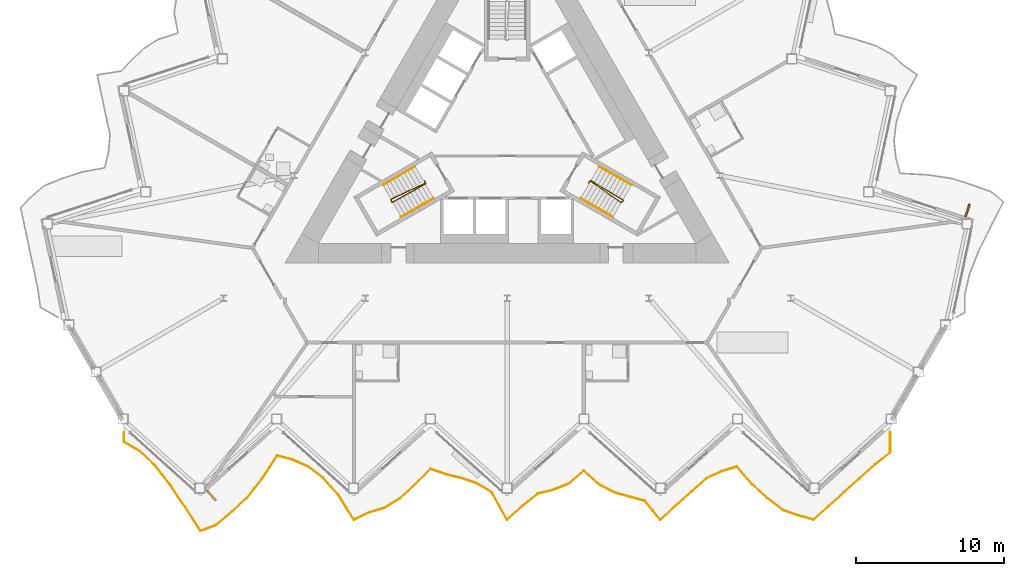
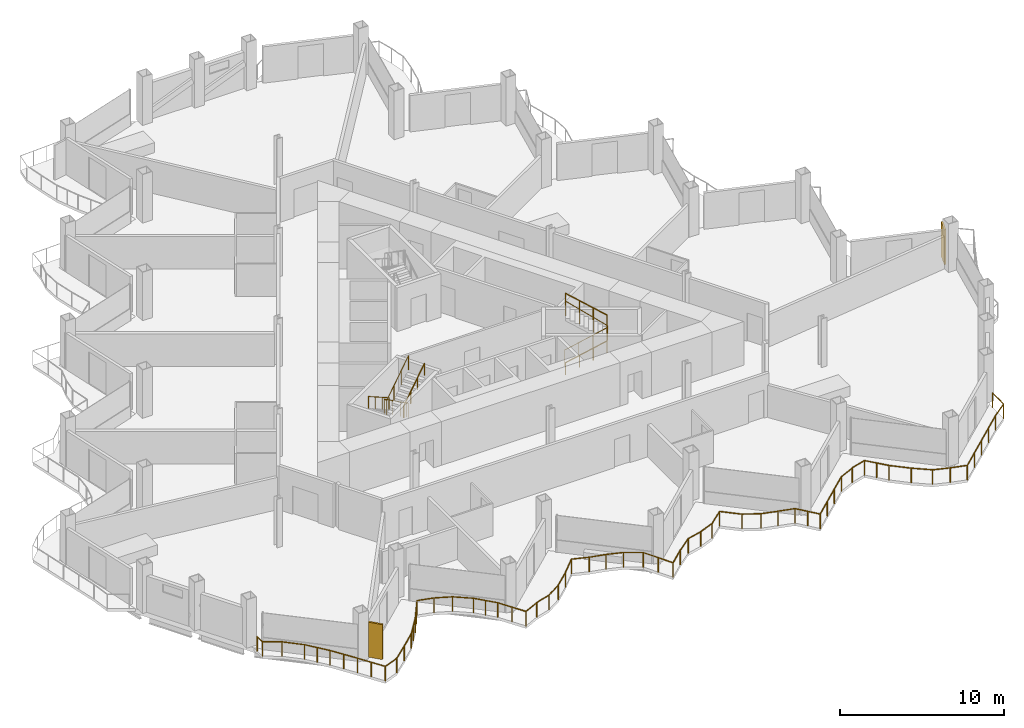
# One storey, part 19 of 23: 7 railings, 2 shading devices.
"""IFC4 building model written with IfcOpenShell, lengths in metres."""

from ifc_helpers import new_model, si_unit, direction, frame, origin, origin_2d, place, context, subcontext, project, spatial, rectangle, circle, extrude, material, layer, layer_set, type_object, element, save


model = new_model("IFC4")

# Units and contexts
model_context = context("Model", 3, precision=1e-05, world=origin(), true_north=direction((0.0, 1.0)))
body_context = subcontext(model_context, "Body", "Model", "MODEL_VIEW")
ifc_project = project(units=[si_unit("LENGTHUNIT", "METRE"), si_unit("AREAUNIT", "SQUARE_METRE"), si_unit("VOLUMEUNIT", "CUBIC_METRE"), si_unit("PLANEANGLEUNIT", "RADIAN"), si_unit("MASSUNIT", "GRAM", prefix="KILO")], contexts=[model_context])

# Site, building, storey
site_placement = place(None, origin())
site = spatial("IfcSite", under=ifc_project, at=site_placement, CompositionType="ELEMENT")
building_placement = place(site_placement, origin())
building = spatial("IfcBuilding", under=site, at=building_placement, Name="Cormorant Prow Tower", CompositionType="ELEMENT")
storey_placement = place(building_placement, frame((0.0, 0.0, 245.39990234375)))
storey = spatial("IfcBuildingStorey", under=building, at=storey_placement, Name="L54", CompositionType="ELEMENT", Elevation=245.39990234375)

# Railings
ifc_material_1 = material(Name="Aluminium 6063-T6", Category="aluminium")
railing_type_1 = type_object("IfcRailingType", Name="Balcony guard 1100", PredefinedType="GUARDRAIL", material=ifc_material_1)
railing_1_placement = place(storey_placement, frame((-25.87841796875, -20.13818359375, 0.0)))
element("IfcRailing", 1, at=railing_1_placement, inside=storey, type_object=railing_type_1, Name="Balcony guard S", PredefinedType="GUARDRAIL", context=body_context, shape_type="SweptSolid", body=[
    extrude(circle(Radius=0.02392578125, at=origin_2d()), frame((0.0, 0.0, 1.076171875), z_axis=(0.0, -1.0, 0.0), x_axis=(1.0, 0.0, 0.0)), (0.0, 0.0, 1.0), 0.63623046875),
    extrude(circle(Radius=0.02392578125, at=origin_2d()), frame((0.0, -0.63623046875, 1.076171875), z_axis=(0.864731790858, -0.502233939394, 0.0), x_axis=(0.502233939394, 0.864731790858, 0.0)), (0.0, 0.0, 1.0), 1.19677734375),
    extrude(circle(Radius=0.02392578125, at=origin_2d()), frame((1.034912109375, -1.2373046875, 1.076171875), z_axis=(0.734783516972, -0.67830169039, 0.0), x_axis=(0.67830169039, 0.734783516972, 0.0)), (0.0, 0.0, 1.0), 1.4091796875),
    extrude(circle(Radius=0.02392578125, at=origin_2d()), frame((2.0703125, -2.193115234375, 1.076171875), z_axis=(0.621882143602, -0.783110847498, 0.0), x_axis=(0.783110847498, 0.621882143602, 0.0)), (0.0, 0.0, 1.0), 1.6640625),
    extrude(circle(Radius=0.02392578125, at=origin_2d()), frame((3.105224609375, -3.496337890625, 1.076171875), z_axis=(0.557245233894, -0.830347968807, 0.0), x_axis=(0.830347968807, 0.557245233894, 0.0)), (0.0, 0.0, 1.0), 1.857666015625),
    extrude(circle(Radius=0.02392578125, at=origin_2d()), frame((4.140380859375, -5.038818359375, 1.076171875), z_axis=(0.542301653449, -0.840183858846, 0.0), x_axis=(0.840183858846, 0.542301653449, 0.0)), (0.0, 0.0, 1.0), 1.908935546875),
    extrude(circle(Radius=0.02392578125, at=origin_2d()), frame((5.175537109375, -6.642578125, 1.076171875), z_axis=(0.93413827097, 0.356911320512, 0.0), x_axis=(-0.356911320512, 0.93413827097, 0.0)), (0.0, 0.0, 1.0), 1.108154296875),
    extrude(circle(Radius=0.02392578125, at=origin_2d()), frame((6.210693359375, -6.2470703125, 1.076171875), z_axis=(0.761584658057, 0.648065435441, 0.0), x_axis=(-0.648065435441, 0.761584658057, 0.0)), (0.0, 0.0, 1.0), 1.359130859375),
    extrude(circle(Radius=0.02392578125, at=origin_2d()), frame((7.245849609375, -5.3662109375, 1.076171875), z_axis=(0.743119825219, 0.669158370916, 0.0), x_axis=(-0.669158370916, 0.743119825219, 0.0)), (0.0, 0.0, 1.0), 1.39306640625),
    extrude(circle(Radius=0.02392578125, at=origin_2d()), frame((8.281005859375, -4.43408203125, 1.076171875), z_axis=(0.622186479432, 0.782869072587, 0.0), x_axis=(-0.782869072587, 0.622186479432, 0.0)), (0.0, 0.0, 1.0), 1.663818359375),
    extrude(circle(Radius=0.02392578125, at=origin_2d()), frame((9.316162109375, -3.131591796875, 1.076171875), z_axis=(0.548772346659, 0.835971836573, 0.0), x_axis=(-0.835971836573, 0.548772346659, 0.0)), (0.0, 0.0, 1.0), 1.88623046875),
    extrude(circle(Radius=0.02392578125, at=origin_2d()), frame((10.351318359375, -1.5546875, 1.076171875), z_axis=(0.965988710951, -0.2585842422, 0.0), x_axis=(0.2585842422, 0.965988710951, 0.0)), (0.0, 0.0, 1.0), 1.071533203125),
    extrude(circle(Radius=0.02392578125, at=origin_2d()), frame((11.386474609375, -1.831787109375, 1.076171875), z_axis=(0.914486230803, -0.404617020987, 0.0), x_axis=(0.404617020987, 0.914486230803, 0.0)), (0.0, 0.0, 1.0), 1.1318359375),
    extrude(circle(Radius=0.02392578125, at=origin_2d()), frame((12.421630859375, -2.289794921875, 1.076171875), z_axis=(0.7996377542, -0.60048269089, 0.0), x_axis=(0.60048269089, 0.7996377542, 0.0)), (0.0, 0.0, 1.0), 1.29443359375),
    extrude(circle(Radius=0.02392578125, at=origin_2d()), frame((13.456787109375, -3.067138671875, 1.076171875), z_axis=(0.671568341198, -0.740942617954, 0.0), x_axis=(0.740942617954, 0.671568341198, 0.0)), (0.0, 0.0, 1.0), 1.54150390625),
    extrude(circle(Radius=0.02392578125, at=origin_2d()), frame((14.491943359375, -4.209228515625, 1.076171875), z_axis=(0.526645354626, -0.850085096005, 0.0), x_axis=(0.850085096005, 0.526645354626, 0.0)), (0.0, 0.0, 1.0), 1.965576171875),
    extrude(circle(Radius=0.02392578125, at=origin_2d()), frame((15.527099609375, -5.880126953125, 1.076171875), z_axis=(0.90332085821, 0.428965531393, 0.0), x_axis=(-0.428965531393, 0.90332085821, 0.0)), (0.0, 0.0, 1.0), 1.145751953125),
    extrude(circle(Radius=0.02392578125, at=origin_2d()), frame((16.56201171875, -5.388671875, 1.076171875), z_axis=(0.958834598019, 0.283965162724, 0.0), x_axis=(-0.283965162724, 0.958834598019, 0.0)), (0.0, 0.0, 1.0), 1.079833984375),
    extrude(circle(Radius=0.02392578125, at=origin_2d()), frame((17.597412109375, -5.08203125, 1.076171875), z_axis=(0.847582419617, 0.530663774867, 0.0), x_axis=(-0.530663774867, 0.847582419617, 0.0)), (0.0, 0.0, 1.0), 1.220947265625),
    extrude(circle(Radius=0.02392578125, at=origin_2d()), frame((18.63232421875, -4.43408203125, 1.076171875), z_axis=(0.743198288412, 0.669071224984, 0.0), x_axis=(-0.669071224984, 0.743198288412, 0.0)), (0.0, 0.0, 1.0), 1.39306640625),
    extrude(circle(Radius=0.02392578125, at=origin_2d()), frame((19.667724609375, -3.501953125, 1.076171875), z_axis=(0.701871936926, 0.712303154672, 0.0), x_axis=(-0.712303154672, 0.701871936926, 0.0)), (0.0, 0.0, 1.0), 1.474609375),
    extrude(circle(Radius=0.02392578125, at=origin_2d()), frame((20.70263671875, -2.45166015625, 1.076171875), z_axis=(0.943788930542, -0.330548717418, 0.0), x_axis=(0.330548717418, 0.943788930542, 0.0)), (0.0, 0.0, 1.0), 1.096923828125),
    extrude(circle(Radius=0.02392578125, at=origin_2d()), frame((21.73779296875, -2.814208984375, 1.076171875), z_axis=(0.97051833299, -0.241027312415, 0.0), x_axis=(0.241027312415, 0.97051833299, 0.0)), (0.0, 0.0, 1.0), 1.066650390625),
    extrude(circle(Radius=0.02392578125, at=origin_2d()), frame((22.77294921875, -3.0712890625, 1.076171875), z_axis=(0.947830404548, -0.318775037001, 0.0), x_axis=(0.318775037001, 0.947830404548, 0.0)), (0.0, 0.0, 1.0), 1.092041015625),
    extrude(circle(Radius=0.02392578125, at=origin_2d()), frame((23.80810546875, -3.41943359375, 1.076171875), z_axis=(0.861589246456, -0.50760611737, 0.0), x_axis=(0.50760611737, 0.861589246456, 0.0)), (0.0, 0.0, 1.0), 1.201416015625),
    extrude(circle(Radius=0.02392578125, at=origin_2d()), frame((24.84326171875, -4.029296875, 1.076171875), z_axis=(0.488133539836, -0.872768954127, 0.0), x_axis=(0.872768954127, 0.488133539836, 0.0)), (0.0, 0.0, 1.0), 2.12060546875),
    extrude(circle(Radius=0.02392578125, at=origin_2d()), frame((25.87841796875, -5.880126953125, 1.076171875), z_axis=(0.743206981817, 0.669061568301, 0.0), x_axis=(-0.669061568301, 0.743206981817, 0.0)), (0.0, 0.0, 1.0), 1.392822265625),
    extrude(circle(Radius=0.02392578125, at=origin_2d()), frame((26.91357421875, -4.9482421875, 1.076171875), z_axis=(0.782666453868, 0.622441340199, 0.0), x_axis=(-0.622441340199, 0.782666453868, 0.0)), (0.0, 0.0, 1.0), 1.322509765625),
    extrude(circle(Radius=0.02392578125, at=origin_2d()), frame((27.94873046875, -4.125, 1.076171875), z_axis=(0.969493451379, 0.245117212235, 0.0), x_axis=(-0.245117212235, 0.969493451379, 0.0)), (0.0, 0.0, 1.0), 1.067626953125),
    extrude(circle(Radius=0.02392578125, at=origin_2d()), frame((28.98388671875, -3.86328125, 1.076171875), z_axis=(0.932367359596, 0.361512249806, 0.0), x_axis=(-0.361512249806, 0.932367359596, 0.0)), (0.0, 0.0, 1.0), 1.1103515625),
    extrude(circle(Radius=0.02392578125, at=origin_2d()), frame((30.01904296875, -3.4619140625, 1.076171875), z_axis=(0.757601893747, 0.652716914589, 0.0), x_axis=(-0.652716914589, 0.757601893747, 0.0)), (0.0, 0.0, 1.0), 1.366455078125),
    extrude(circle(Radius=0.02392578125, at=origin_2d()), frame((31.05419921875, -2.570068359375, 1.076171875), z_axis=(0.743128501462, -0.66914873557, 0.0), x_axis=(0.66914873557, 0.743128501462, 0.0)), (0.0, 0.0, 1.0), 1.392578125),
    extrude(circle(Radius=0.02392578125, at=origin_2d()), frame((32.089111328125, -3.501953125, 1.076171875), z_axis=(0.884411054708, -0.466708781051, 0.0), x_axis=(0.466708781051, 0.884411054708, 0.0)), (0.0, 0.0, 1.0), 1.170654296875),
    extrude(circle(Radius=0.02392578125, at=origin_2d()), frame((33.12451171875, -4.04833984375, 1.076171875), z_axis=(0.964305649487, -0.264791643313, 0.0), x_axis=(0.264791643313, 0.964305649487, 0.0)), (0.0, 0.0, 1.0), 1.0732421875),
    extrude(circle(Radius=0.02392578125, at=origin_2d()), frame((34.159423828125, -4.33251953125, 1.076171875), z_axis=(0.96537578836, -0.26086315809, 0.0), x_axis=(0.26086315809, 0.96537578836, 0.0)), (0.0, 0.0, 1.0), 1.072509765625),
    extrude(circle(Radius=0.02392578125, at=origin_2d()), frame((35.19482421875, -4.6123046875, 1.076171875), z_axis=(0.632360047149, -0.774674622516, 0.0), x_axis=(0.774674622516, 0.632360047149, 0.0)), (0.0, 0.0, 1.0), 1.636474609375),
    extrude(circle(Radius=0.02392578125, at=origin_2d()), frame((36.229736328125, -5.880126953125, 1.076171875), z_axis=(0.743206981817, 0.669061568301, 0.0), x_axis=(-0.669061568301, 0.743206981817, 0.0)), (0.0, 0.0, 1.0), 1.392822265625),
    extrude(circle(Radius=0.02392578125, at=origin_2d()), frame((37.264892578125, -4.9482421875, 1.076171875), z_axis=(0.743119825219, 0.669158370916, 0.0), x_axis=(-0.669158370916, 0.743119825219, 0.0)), (0.0, 0.0, 1.0), 1.39306640625),
    extrude(circle(Radius=0.02392578125, at=origin_2d()), frame((38.300048828125, -4.01611328125, 1.076171875), z_axis=(0.743206981817, 0.669061568301, 0.0), x_axis=(-0.669061568301, 0.743206981817, 0.0)), (0.0, 0.0, 1.0), 1.392822265625),
    extrude(circle(Radius=0.02392578125, at=origin_2d()), frame((39.335205078125, -3.084228515625, 1.076171875), z_axis=(0.909335405661, 0.416063841269, 0.0), x_axis=(-0.416063841269, 0.909335405661, 0.0)), (0.0, 0.0, 1.0), 1.138427734375),
    extrude(circle(Radius=0.02392578125, at=origin_2d()), frame((40.370361328125, -2.610595703125, 1.076171875), z_axis=(0.957888441811, 0.287140615458, 0.0), x_axis=(-0.287140615458, 0.957888441811, 0.0)), (0.0, 0.0, 1.0), 1.08056640625),
    extrude(circle(Radius=0.02392578125, at=origin_2d()), frame((41.405517578125, -2.30029296875, 1.076171875), z_axis=(0.652665528351, -0.757646162864, 0.0), x_axis=(0.757646162864, 0.652665528351, 0.0)), (0.0, 0.0, 1.0), 1.5859375),
    extrude(circle(Radius=0.02392578125, at=origin_2d()), frame((42.440673828125, -3.501953125, 1.076171875), z_axis=(0.743119825219, -0.669158370916, 0.0), x_axis=(0.669158370916, 0.743119825219, 0.0)), (0.0, 0.0, 1.0), 1.39306640625),
    extrude(circle(Radius=0.02392578125, at=origin_2d()), frame((43.475830078125, -4.43408203125, 1.076171875), z_axis=(0.790685851487, -0.612222087366, 0.0), x_axis=(0.612222087366, 0.790685851487, 0.0)), (0.0, 0.0, 1.0), 1.30908203125),
    extrude(circle(Radius=0.02392578125, at=origin_2d()), frame((44.510986328125, -5.235595703125, 1.076171875), z_axis=(0.945240232719, -0.326375401109, 0.0), x_axis=(0.326375401109, 0.945240232719, 0.0)), (0.0, 0.0, 1.0), 1.09521484375),
    extrude(circle(Radius=0.02392578125, at=origin_2d()), frame((45.546142578125, -5.593017578125, 1.076171875), z_axis=(0.96362202887, -0.267268751404, 0.0), x_axis=(0.267268751404, 0.96362202887, 0.0)), (0.0, 0.0, 1.0), 1.07421875),
    extrude(circle(Radius=0.02392578125, at=origin_2d()), frame((46.581298828125, -5.880126953125, 1.076171875), z_axis=(0.743206981817, 0.669061568301, 0.0), x_axis=(-0.669061568301, 0.743206981817, 0.0)), (0.0, 0.0, 1.0), 1.392822265625),
    extrude(circle(Radius=0.02392578125, at=origin_2d()), frame((47.616455078125, -4.9482421875, 1.076171875), z_axis=(0.743119825219, 0.669158370916, 0.0), x_axis=(-0.669158370916, 0.743119825219, 0.0)), (0.0, 0.0, 1.0), 1.39306640625),
    extrude(circle(Radius=0.02392578125, at=origin_2d()), frame((48.651611328125, -4.01611328125, 1.076171875), z_axis=(0.743128501462, 0.66914873557, 0.0), x_axis=(-0.66914873557, 0.743128501462, 0.0)), (0.0, 0.0, 1.0), 1.392578125),
    extrude(circle(Radius=0.02392578125, at=origin_2d()), frame((49.6865234375, -3.084228515625, 1.076171875), z_axis=(0.743198288412, 0.669071224984, 0.0), x_axis=(-0.669071224984, 0.743198288412, 0.0)), (0.0, 0.0, 1.0), 1.39306640625),
    extrude(circle(Radius=0.02392578125, at=origin_2d()), frame((50.721923828125, -2.152099609375, 1.076171875), z_axis=(0.789261978019, 0.614056617954, 0.0), x_axis=(-0.614056617954, 0.789261978019, 0.0)), (0.0, 0.0, 1.0), 1.311279296875),
    extrude(circle(Radius=0.02392578125, at=origin_2d()), frame((51.7568359375, -1.346923828125, 1.076171875), z_axis=(0.0, 1.0, 0.0), x_axis=(-1.0, 0.0, 0.0)), (0.0, 0.0, 1.0), 1.346923828125),
    extrude(circle(Radius=0.02099609375, at=origin_2d()), origin(), (0.0, 0.0, 1.0), 1.052001953125),
    extrude(circle(Radius=0.02099609375, at=origin_2d()), frame((0.0, -0.63623046875, 0.0)), (0.0, 0.0, 1.0), 1.052001953125),
    extrude(circle(Radius=0.02099609375, at=origin_2d()), frame((1.034912109375, -1.2373046875, 0.0)), (0.0, 0.0, 1.0), 1.052001953125),
    extrude(circle(Radius=0.02099609375, at=origin_2d()), frame((2.0703125, -2.193115234375, 0.0)), (0.0, 0.0, 1.0), 1.052001953125),
    extrude(circle(Radius=0.02099609375, at=origin_2d()), frame((2.587890625, -2.8447265625, 0.0)), (0.0, 0.0, 1.0), 1.052001953125),
    extrude(circle(Radius=0.02099609375, at=origin_2d()), frame((3.105224609375, -3.496337890625, 0.0)), (0.0, 0.0, 1.0), 1.052001953125),
    extrude(circle(Radius=0.02099609375, at=origin_2d()), frame((3.622802734375, -4.267578125, 0.0)), (0.0, 0.0, 1.0), 1.052001953125),
    extrude(circle(Radius=0.02099609375, at=origin_2d()), frame((4.140380859375, -5.038818359375, 0.0)), (0.0, 0.0, 1.0), 1.052001953125),
    extrude(circle(Radius=0.02099609375, at=origin_2d()), frame((4.657958984375, -5.8408203125, 0.0)), (0.0, 0.0, 1.0), 1.052001953125),
    extrude(circle(Radius=0.02099609375, at=origin_2d()), frame((5.175537109375, -6.642578125, 0.0)), (0.0, 0.0, 1.0), 1.052001953125),
    extrude(circle(Radius=0.02099609375, at=origin_2d()), frame((6.210693359375, -6.2470703125, 0.0)), (0.0, 0.0, 1.0), 1.052001953125),
    extrude(circle(Radius=0.02099609375, at=origin_2d()), frame((7.245849609375, -5.3662109375, 0.0)), (0.0, 0.0, 1.0), 1.052001953125),
    extrude(circle(Radius=0.02099609375, at=origin_2d()), frame((8.281005859375, -4.43408203125, 0.0)), (0.0, 0.0, 1.0), 1.052001953125),
    extrude(circle(Radius=0.02099609375, at=origin_2d()), frame((8.798583984375, -3.78271484375, 0.0)), (0.0, 0.0, 1.0), 1.052001953125),
    extrude(circle(Radius=0.02099609375, at=origin_2d()), frame((9.316162109375, -3.131591796875, 0.0)), (0.0, 0.0, 1.0), 1.052001953125),
    extrude(circle(Radius=0.02099609375, at=origin_2d()), frame((9.833740234375, -2.34326171875, 0.0)), (0.0, 0.0, 1.0), 1.052001953125),
    extrude(circle(Radius=0.02099609375, at=origin_2d()), frame((10.351318359375, -1.5546875, 0.0)), (0.0, 0.0, 1.0), 1.052001953125),
    extrude(circle(Radius=0.02099609375, at=origin_2d()), frame((11.386474609375, -1.831787109375, 0.0)), (0.0, 0.0, 1.0), 1.052001953125),
    extrude(circle(Radius=0.02099609375, at=origin_2d()), frame((12.421630859375, -2.289794921875, 0.0)), (0.0, 0.0, 1.0), 1.052001953125),
    extrude(circle(Radius=0.02099609375, at=origin_2d()), frame((13.456787109375, -3.067138671875, 0.0)), (0.0, 0.0, 1.0), 1.052001953125),
    extrude(circle(Radius=0.02099609375, at=origin_2d()), frame((13.974365234375, -3.63818359375, 0.0)), (0.0, 0.0, 1.0), 1.052001953125),
    extrude(circle(Radius=0.02099609375, at=origin_2d()), frame((14.491943359375, -4.209228515625, 0.0)), (0.0, 0.0, 1.0), 1.052001953125),
    extrude(circle(Radius=0.02099609375, at=origin_2d()), frame((15.009521484375, -5.044677734375, 0.0)), (0.0, 0.0, 1.0), 1.052001953125),
    extrude(circle(Radius=0.02099609375, at=origin_2d()), frame((15.527099609375, -5.880126953125, 0.0)), (0.0, 0.0, 1.0), 1.052001953125),
    extrude(circle(Radius=0.02099609375, at=origin_2d()), frame((16.56201171875, -5.388671875, 0.0)), (0.0, 0.0, 1.0), 1.052001953125),
    extrude(circle(Radius=0.02099609375, at=origin_2d()), frame((17.597412109375, -5.08203125, 0.0)), (0.0, 0.0, 1.0), 1.052001953125),
    extrude(circle(Radius=0.02099609375, at=origin_2d()), frame((18.63232421875, -4.43408203125, 0.0)), (0.0, 0.0, 1.0), 1.052001953125),
    extrude(circle(Radius=0.02099609375, at=origin_2d()), frame((19.667724609375, -3.501953125, 0.0)), (0.0, 0.0, 1.0), 1.052001953125),
    extrude(circle(Radius=0.02099609375, at=origin_2d()), frame((20.70263671875, -2.45166015625, 0.0)), (0.0, 0.0, 1.0), 1.052001953125),
    extrude(circle(Radius=0.02099609375, at=origin_2d()), frame((21.73779296875, -2.814208984375, 0.0)), (0.0, 0.0, 1.0), 1.052001953125),
    extrude(circle(Radius=0.02099609375, at=origin_2d()), frame((22.77294921875, -3.0712890625, 0.0)), (0.0, 0.0, 1.0), 1.052001953125),
    extrude(circle(Radius=0.02099609375, at=origin_2d()), frame((23.80810546875, -3.41943359375, 0.0)), (0.0, 0.0, 1.0), 1.052001953125),
    extrude(circle(Radius=0.02099609375, at=origin_2d()), frame((24.84326171875, -4.029296875, 0.0)), (0.0, 0.0, 1.0), 1.052001953125),
    extrude(circle(Radius=0.02099609375, at=origin_2d()), frame((25.36083984375, -4.95458984375, 0.0)), (0.0, 0.0, 1.0), 1.052001953125),
    extrude(circle(Radius=0.02099609375, at=origin_2d()), frame((25.87841796875, -5.880126953125, 0.0)), (0.0, 0.0, 1.0), 1.052001953125),
    extrude(circle(Radius=0.02099609375, at=origin_2d()), frame((26.91357421875, -4.9482421875, 0.0)), (0.0, 0.0, 1.0), 1.052001953125),
    extrude(circle(Radius=0.02099609375, at=origin_2d()), frame((27.94873046875, -4.125, 0.0)), (0.0, 0.0, 1.0), 1.052001953125),
    extrude(circle(Radius=0.02099609375, at=origin_2d()), frame((28.98388671875, -3.86328125, 0.0)), (0.0, 0.0, 1.0), 1.052001953125),
    extrude(circle(Radius=0.02099609375, at=origin_2d()), frame((30.01904296875, -3.4619140625, 0.0)), (0.0, 0.0, 1.0), 1.052001953125),
    extrude(circle(Radius=0.02099609375, at=origin_2d()), frame((31.05419921875, -2.570068359375, 0.0)), (0.0, 0.0, 1.0), 1.052001953125),
    extrude(circle(Radius=0.02099609375, at=origin_2d()), frame((32.089111328125, -3.501953125, 0.0)), (0.0, 0.0, 1.0), 1.052001953125),
    extrude(circle(Radius=0.02099609375, at=origin_2d()), frame((33.12451171875, -4.04833984375, 0.0)), (0.0, 0.0, 1.0), 1.052001953125),
    extrude(circle(Radius=0.02099609375, at=origin_2d()), frame((34.159423828125, -4.33251953125, 0.0)), (0.0, 0.0, 1.0), 1.052001953125),
    extrude(circle(Radius=0.02099609375, at=origin_2d()), frame((35.19482421875, -4.6123046875, 0.0)), (0.0, 0.0, 1.0), 1.052001953125),
    extrude(circle(Radius=0.02099609375, at=origin_2d()), frame((35.71240234375, -5.24609375, 0.0)), (0.0, 0.0, 1.0), 1.052001953125),
    extrude(circle(Radius=0.02099609375, at=origin_2d()), frame((36.229736328125, -5.880126953125, 0.0)), (0.0, 0.0, 1.0), 1.052001953125),
    extrude(circle(Radius=0.02099609375, at=origin_2d()), frame((37.264892578125, -4.9482421875, 0.0)), (0.0, 0.0, 1.0), 1.052001953125),
    extrude(circle(Radius=0.02099609375, at=origin_2d()), frame((38.300048828125, -4.01611328125, 0.0)), (0.0, 0.0, 1.0), 1.052001953125),
    extrude(circle(Radius=0.02099609375, at=origin_2d()), frame((39.335205078125, -3.084228515625, 0.0)), (0.0, 0.0, 1.0), 1.052001953125),
    extrude(circle(Radius=0.02099609375, at=origin_2d()), frame((40.370361328125, -2.610595703125, 0.0)), (0.0, 0.0, 1.0), 1.052001953125),
    extrude(circle(Radius=0.02099609375, at=origin_2d()), frame((41.405517578125, -2.30029296875, 0.0)), (0.0, 0.0, 1.0), 1.052001953125),
    extrude(circle(Radius=0.02099609375, at=origin_2d()), frame((41.923095703125, -2.901123046875, 0.0)), (0.0, 0.0, 1.0), 1.052001953125),
    extrude(circle(Radius=0.02099609375, at=origin_2d()), frame((42.440673828125, -3.501953125, 0.0)), (0.0, 0.0, 1.0), 1.052001953125),
    extrude(circle(Radius=0.02099609375, at=origin_2d()), frame((43.475830078125, -4.43408203125, 0.0)), (0.0, 0.0, 1.0), 1.052001953125),
    extrude(circle(Radius=0.02099609375, at=origin_2d()), frame((44.510986328125, -5.235595703125, 0.0)), (0.0, 0.0, 1.0), 1.052001953125),
    extrude(circle(Radius=0.02099609375, at=origin_2d()), frame((45.546142578125, -5.593017578125, 0.0)), (0.0, 0.0, 1.0), 1.052001953125),
    extrude(circle(Radius=0.02099609375, at=origin_2d()), frame((46.581298828125, -5.880126953125, 0.0)), (0.0, 0.0, 1.0), 1.052001953125),
    extrude(circle(Radius=0.02099609375, at=origin_2d()), frame((47.616455078125, -4.9482421875, 0.0)), (0.0, 0.0, 1.0), 1.052001953125),
    extrude(circle(Radius=0.02099609375, at=origin_2d()), frame((48.651611328125, -4.01611328125, 0.0)), (0.0, 0.0, 1.0), 1.052001953125),
    extrude(circle(Radius=0.02099609375, at=origin_2d()), frame((49.6865234375, -3.084228515625, 0.0)), (0.0, 0.0, 1.0), 1.052001953125),
    extrude(circle(Radius=0.02099609375, at=origin_2d()), frame((50.721923828125, -2.152099609375, 0.0)), (0.0, 0.0, 1.0), 1.052001953125),
    extrude(circle(Radius=0.02099609375, at=origin_2d()), frame((51.7568359375, -1.346923828125, 0.0)), (0.0, 0.0, 1.0), 1.052001953125),
    extrude(circle(Radius=0.02099609375, at=origin_2d()), frame((51.7568359375, 0.0, 0.0)), (0.0, 0.0, 1.0), 1.052001953125),
])
ifc_material_2 = material(Name="Stainless steel", Category="steel")
railing_type_2 = type_object("IfcRailingType", Name="Stair guard 1100", PredefinedType="GUARDRAIL", material=ifc_material_2)
railing_2_placement = place(storey_placement, frame((-5.585205078125, -3.137939453125, 0.0)))
element("IfcRailing", 2, at=railing_2_placement, inside=storey, type_object=railing_type_2, Name="L54 ST1 stair guard 1", PredefinedType="GUARDRAIL", context=body_context, shape_type="SweptSolid", body=[
    extrude(circle(Radius=0.02392578125, at=origin_2d()), frame((0.0, 0.0, 1.076171875), z_axis=(0.501036270542, -0.865426285481, 0.0), x_axis=(0.865426285481, 0.501036270542, 0.0)), (0.0, 0.0, 1.0), 0.150146484375),
    extrude(circle(Radius=0.02392578125, at=origin_2d()), frame((0.0751953125, -0.1298828125, 1.076171875), z_axis=(-0.739707038506, -0.353624380995, 0.572523619033), x_axis=(0.431308035802, -0.902204731895, 0.0)), (0.0, 0.0, 1.0), 3.14404296875),
    extrude(circle(Radius=0.02392578125, at=origin_2d()), frame((-2.25048828125, -1.24169921875, 2.8759765625), z_axis=(0.274721127897, -0.961523947641, 0.0), x_axis=(0.961523947641, 0.274721127897, 0.0)), (0.0, 0.0, 1.0), 0.2060546875),
    extrude(circle(Radius=0.02392578125, at=origin_2d()), frame((-2.19384765625, -1.43994140625, 2.8759765625), z_axis=(0.717223475266, 0.39568267656, 0.573607623727), x_axis=(-0.483052234887, 0.87559153626, 0.0)), (0.0, 0.0, 1.0), 3.13818359375),
    extrude(circle(Radius=0.02099609375, at=origin_2d()), origin(), (0.0, 0.0, 1.0), 1.052001953125),
    extrude(circle(Radius=0.02099609375, at=origin_2d()), frame((0.0751953125, -0.1298828125, 0.0)), (0.0, 0.0, 1.0), 1.052001953125),
    extrude(circle(Radius=0.02099609375, at=origin_2d()), frame((-0.699951171875, -0.50048828125, 0.60009765625)), (0.0, 0.0, 1.0), 1.052001953125),
    extrude(circle(Radius=0.02099609375, at=origin_2d()), frame((-1.475341796875, -0.87109375, 1.199951171875)), (0.0, 0.0, 1.0), 1.052001953125),
    extrude(circle(Radius=0.02099609375, at=origin_2d()), frame((-2.25048828125, -1.24169921875, 1.800048828125)), (0.0, 0.0, 1.0), 1.052001953125),
    extrude(circle(Radius=0.02099609375, at=origin_2d()), frame((-2.19384765625, -1.43994140625, 1.800048828125)), (0.0, 0.0, 1.0), 1.052001953125),
    extrude(circle(Radius=0.02099609375, at=origin_2d()), frame((-1.443603515625, -1.026123046875, 2.400146484375)), (0.0, 0.0, 1.0), 1.052001953125),
    extrude(circle(Radius=0.02099609375, at=origin_2d()), frame((-0.693359375, -0.612060546875, 3.0)), (0.0, 0.0, 1.0), 1.052001953125),
    extrude(circle(Radius=0.02099609375, at=origin_2d()), frame((0.056884765625, -0.1982421875, 3.60009765625)), (0.0, 0.0, 1.0), 1.052001953125),
])
railing_3_placement = place(storey_placement, frame((5.510009765625, -3.267822265625, 0.0)))
element("IfcRailing", 3, at=railing_3_placement, inside=storey, type_object=railing_type_2, Name="L54 ST2 stair guard 1", PredefinedType="GUARDRAIL", context=body_context, shape_type="SweptSolid", body=[
    extrude(circle(Radius=0.02392578125, at=origin_2d()), frame((0.0, 0.0, 1.076171875), z_axis=(0.501036270542, 0.865426285481, 0.0), x_axis=(-0.865426285481, 0.501036270542, 0.0)), (0.0, 0.0, 1.0), 0.150146484375),
    extrude(circle(Radius=0.02392578125, at=origin_2d()), frame((0.0751953125, 0.1298828125, 1.076171875), z_axis=(0.676058237057, -0.463829066155, 0.572545070276), x_axis=(0.565732651216, 0.824588726183, 0.0)), (0.0, 0.0, 1.0), 3.14404296875),
    extrude(circle(Radius=0.02392578125, at=origin_2d()), frame((2.20068359375, -1.328369140625, 2.8759765625), z_axis=(0.695164929852, 0.718850276695, 0.0), x_axis=(-0.718850276695, 0.695164929852, 0.0)), (0.0, 0.0, 1.0), 0.2060546875),
    extrude(circle(Radius=0.02392578125, at=origin_2d()), frame((2.343994140625, -1.18017578125, 2.8759765625), z_axis=(-0.70127624584, 0.423301980654, 0.573608804147), x_axis=(-0.516770599887, -0.856123908726, 0.0)), (0.0, 0.0, 1.0), 3.13818359375),
    extrude(circle(Radius=0.02099609375, at=origin_2d()), origin(), (0.0, 0.0, 1.0), 1.052001953125),
    extrude(circle(Radius=0.02099609375, at=origin_2d()), frame((0.0751953125, 0.1298828125, 0.0)), (0.0, 0.0, 1.0), 1.052001953125),
    extrude(circle(Radius=0.02099609375, at=origin_2d()), frame((0.78369140625, -0.356201171875, 0.60009765625)), (0.0, 0.0, 1.0), 1.052001953125),
    extrude(circle(Radius=0.02099609375, at=origin_2d()), frame((1.4921875, -0.84228515625, 1.199951171875)), (0.0, 0.0, 1.0), 1.052001953125),
    extrude(circle(Radius=0.02099609375, at=origin_2d()), frame((2.20068359375, -1.328369140625, 1.800048828125)), (0.0, 0.0, 1.0), 1.052001953125),
    extrude(circle(Radius=0.02099609375, at=origin_2d()), frame((2.343994140625, -1.18017578125, 1.800048828125)), (0.0, 0.0, 1.0), 1.052001953125),
    extrude(circle(Radius=0.02099609375, at=origin_2d()), frame((1.6103515625, -0.7373046875, 2.400146484375)), (0.0, 0.0, 1.0), 1.052001953125),
    extrude(circle(Radius=0.02099609375, at=origin_2d()), frame((0.876953125, -0.294677734375, 3.0)), (0.0, 0.0, 1.0), 1.052001953125),
    extrude(circle(Radius=0.02099609375, at=origin_2d()), frame((0.143310546875, 0.148193359375, 3.60009765625)), (0.0, 0.0, 1.0), 1.052001953125),
])
ifc_material_3 = material(Name="Stainless steel", Category="steel")
railing_type_3 = type_object("IfcRailingType", Name="Stair handrail 900", PredefinedType="HANDRAIL", material=ifc_material_3)
railing_4_placement = place(storey_placement, frame((-6.212890625, -2.150634765625, 0.18017578125)))
element("IfcRailing", 4, at=railing_4_placement, inside=storey, type_object=railing_type_3, Name="L54 ST1 stair handrail 1", PredefinedType="HANDRAIL", context=body_context, shape_type="SweptSolid", body=[
    extrude(circle(Radius=0.02392578125, at=origin_2d()), frame((0.0, 0.0, 0.8759765625), z_axis=(-0.72849590497, -0.42060268101, 0.54072830624), x_axis=(0.500004791531, -0.866022637375, 0.0)), (0.0, 0.0, 1.0), 2.99560546875),
    extrude(circle(Radius=0.02099609375, at=origin_2d()), origin(), (0.0, 0.0, 1.0), 0.851806640625),
    extrude(circle(Radius=0.02099609375, at=origin_2d()), frame((-0.7275390625, -0.419921875, 0.5400390625)), (0.0, 0.0, 1.0), 0.851806640625),
    extrude(circle(Radius=0.02099609375, at=origin_2d()), frame((-1.454833984375, -0.840087890625, 1.079833984375)), (0.0, 0.0, 1.0), 0.851806640625),
    extrude(circle(Radius=0.02099609375, at=origin_2d()), frame((-2.182373046875, -1.260009765625, 1.619873046875)), (0.0, 0.0, 1.0), 0.851806640625),
])
railing_5_placement = place(storey_placement, frame((-7.1513671875, -5.565185546875, 1.97998046875)))
element("IfcRailing", 5, at=railing_5_placement, inside=storey, type_object=railing_type_3, Name="L54 ST1 stair handrail 2", PredefinedType="HANDRAIL", context=body_context, shape_type="SweptSolid", body=[
    extrude(circle(Radius=0.02392578125, at=origin_2d()), frame((0.0, 0.0, 0.8759765625), z_axis=(0.728463801763, 0.420584145978, 0.540785970299), x_axis=(-0.500004791531, 0.866022637375, 0.0)), (0.0, 0.0, 1.0), 2.995849609375),
    extrude(circle(Radius=0.02099609375, at=origin_2d()), origin(), (0.0, 0.0, 1.0), 0.851806640625),
    extrude(circle(Radius=0.02099609375, at=origin_2d()), frame((0.7275390625, 0.419921875, 0.5400390625)), (0.0, 0.0, 1.0), 0.851806640625),
    extrude(circle(Radius=0.02099609375, at=origin_2d()), frame((1.454833984375, 0.840087890625, 1.080078125)), (0.0, 0.0, 1.0), 0.851806640625),
    extrude(circle(Radius=0.02099609375, at=origin_2d()), frame((2.182373046875, 1.260009765625, 1.6201171875)), (0.0, 0.0, 1.0), 0.851806640625),
])
railing_6_placement = place(storey_placement, frame((4.968994140625, -4.30517578125, 0.18017578125)))
element("IfcRailing", 6, at=railing_6_placement, inside=storey, type_object=railing_type_3, Name="L54 ST2 stair handrail 1", PredefinedType="HANDRAIL", context=body_context, shape_type="SweptSolid", body=[
    extrude(circle(Radius=0.02392578125, at=origin_2d()), frame((0.0, 0.0, 0.8759765625), z_axis=(0.72849590497, -0.42060268101, 0.54072830624), x_axis=(0.500004791531, 0.866022637375, 0.0)), (0.0, 0.0, 1.0), 2.99560546875),
    extrude(circle(Radius=0.02099609375, at=origin_2d()), origin(), (0.0, 0.0, 1.0), 0.851806640625),
    extrude(circle(Radius=0.02099609375, at=origin_2d()), frame((0.7275390625, -0.419921875, 0.5400390625)), (0.0, 0.0, 1.0), 0.851806640625),
    extrude(circle(Radius=0.02099609375, at=origin_2d()), frame((1.454833984375, -0.840087890625, 1.079833984375)), (0.0, 0.0, 1.0), 0.851806640625),
    extrude(circle(Radius=0.02099609375, at=origin_2d()), frame((2.182373046875, -1.260009765625, 1.619873046875)), (0.0, 0.0, 1.0), 0.851806640625),
])
railing_7_placement = place(storey_placement, frame((8.395263671875, -3.41064453125, 1.97998046875)))
element("IfcRailing", 7, at=railing_7_placement, inside=storey, type_object=railing_type_3, Name="L54 ST2 stair handrail 2", PredefinedType="HANDRAIL", context=body_context, shape_type="SweptSolid", body=[
    extrude(circle(Radius=0.02392578125, at=origin_2d()), frame((0.0, 0.0, 0.8759765625), z_axis=(-0.728463801763, 0.420584145978, 0.540785970299), x_axis=(-0.500004791531, -0.866022637375, 0.0)), (0.0, 0.0, 1.0), 2.995849609375),
    extrude(circle(Radius=0.02099609375, at=origin_2d()), origin(), (0.0, 0.0, 1.0), 0.851806640625),
    extrude(circle(Radius=0.02099609375, at=origin_2d()), frame((-0.7275390625, 0.419921875, 0.5400390625)), (0.0, 0.0, 1.0), 0.851806640625),
    extrude(circle(Radius=0.02099609375, at=origin_2d()), frame((-1.454833984375, 0.840087890625, 1.080078125)), (0.0, 0.0, 1.0), 0.851806640625),
    extrude(circle(Radius=0.02099609375, at=origin_2d()), frame((-2.182373046875, 1.260009765625, 1.6201171875)), (0.0, 0.0, 1.0), 0.851806640625),
])

# Shading devices
ifc_material_4 = material(Name="Terracotta", Category="masonry")
ifc_layer = layer(ifc_material_4, 0.1201171875)
ifc_layer_set = layer_set([ifc_layer], Name="Terracotta")
shading_device_type = type_object("IfcShadingDeviceType", Name="Terracotta baguette fin 120x900x2600", PredefinedType="USERDEFINED", material=ifc_layer_set)
for number, where, z_axis, x_axis, name in (
    (8, (-19.98486328125, -24.37744140625, 0.0), (0.0, 0.0, 1.0), (0.743144812176, 0.669130621132, 0.0), "Baguette fin S01"),
    (9, (31.10400390625, -5.11865234375, 0.0), (0.0, 0.0, 1.0), (-0.951056546466, 0.30901690152, 0.0), "Baguette fin ENE01"),
):
    element("IfcShadingDevice", number, at=place(storey_placement, frame(where, z_axis=z_axis, x_axis=x_axis)), inside=storey, type_object=shading_device_type, Name=name, ObjectType="BAGUETTE", PredefinedType="USERDEFINED", context=body_context, shape_type="SweptSolid", body=[
        extrude(rectangle(XDim=0.1201171875, YDim=0.89990234375, at=origin_2d()), origin(), (0.0, 0.0, 1.0), 2.60009765625),
    ])

save(model, "model.ifc")
